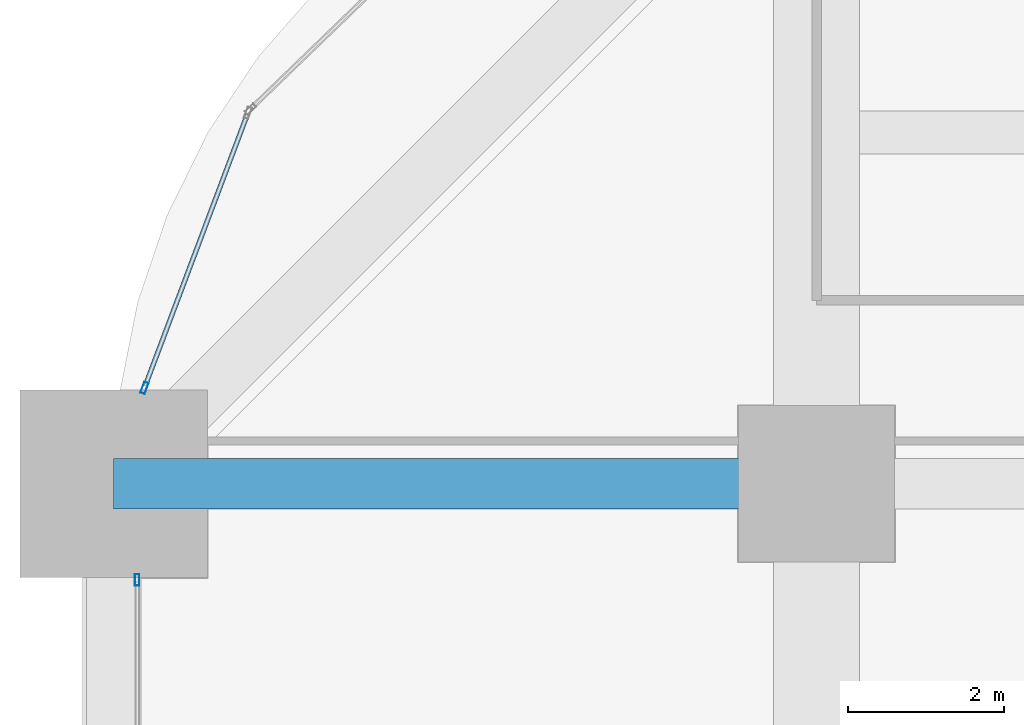
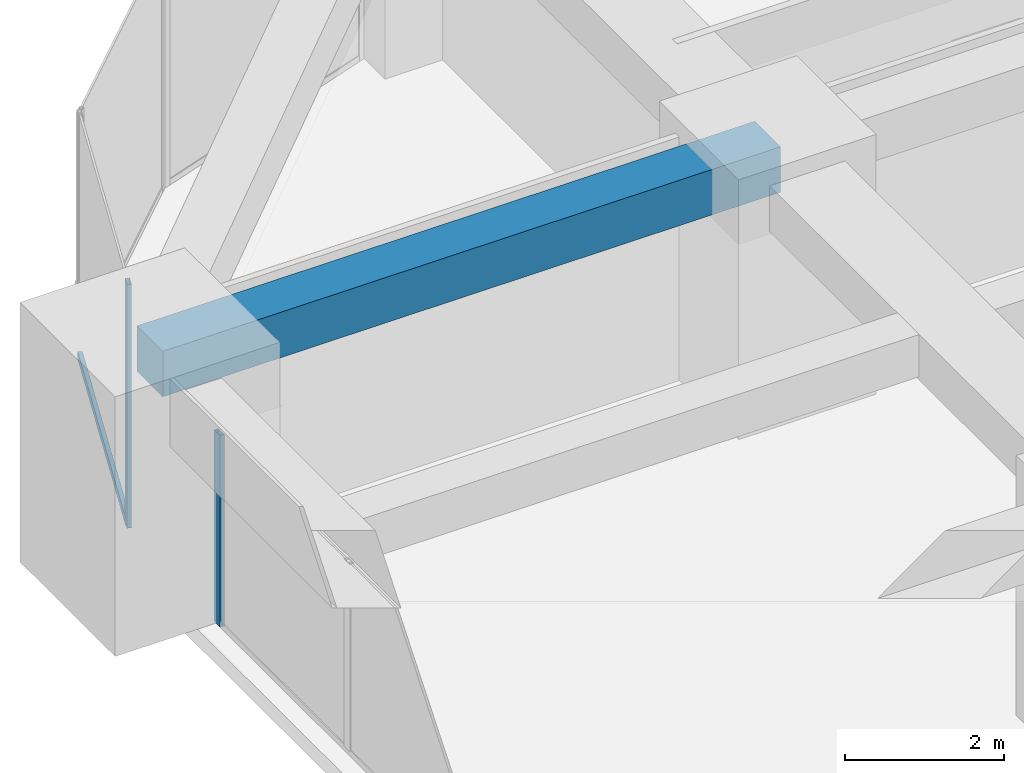
# One storey, part 24 of 41: 3 members, 1 beam, 2 elements without a shape of their own.
"""IFC4 building model written with IfcOpenShell, lengths in metres."""

from ifc_helpers import new_model, si_unit, direction, frame, origin, origin_2d, place, context, subcontext, project, spatial, rectangle, hollow_rectangle, extrude, material, material_profile, profile_set, type_object, element, aggregate, save


model = new_model("IFC4")

# Units and contexts
model_context = context("Model", 3, precision=1e-05, world=origin(), true_north=direction((0.0, 1.0)))
body_context = subcontext(model_context, "Body", "Model", "MODEL_VIEW")
ifc_project = project(units=[si_unit("LENGTHUNIT", "METRE"), si_unit("AREAUNIT", "SQUARE_METRE"), si_unit("VOLUMEUNIT", "CUBIC_METRE"), si_unit("PLANEANGLEUNIT", "RADIAN"), si_unit("MASSUNIT", "GRAM", prefix="KILO")], contexts=[model_context])

# Site, building, storey
site_placement = place(None, origin())
site = spatial("IfcSite", under=ifc_project, at=site_placement, CompositionType="ELEMENT")
building_placement = place(site_placement, origin())
building = spatial("IfcBuilding", under=site, at=building_placement, Name="Zorevar Civic Tower", CompositionType="ELEMENT")
storey_placement = place(building_placement, frame((0.0, 0.0, 97.0)))
storey = spatial("IfcBuildingStorey", under=building, at=storey_placement, Name="L23", CompositionType="ELEMENT", Elevation=97.0)

# Beam
ifc_material_1 = material(Name="Concrete C50/60", Category="concrete")
ifc_material_profile_1 = material_profile(ifc_material_1, rectangle(XDim=0.64990234375, YDim=0.699951171875, at=origin_2d()), Name="RC 650x700")
ifc_profile_set_1 = profile_set([ifc_material_profile_1], Name="Concrete C50/60")
beam_type = type_object("IfcBeamType", Name="Beam RC 650x700", PredefinedType="BEAM", material=ifc_profile_set_1)
beam_placement = place(storey_placement, frame((0.0, 36.0, 3.39990234375), z_axis=(1.0, 0.0, 0.0), x_axis=(0.0, 1.0, 0.0)))
element("IfcBeam", 1, at=beam_placement, inside=storey, type_object=beam_type, Name="Girder L24", PredefinedType="BEAM", context=body_context, shape_type="SweptSolid", body=[
    extrude(rectangle(XDim=0.64990234375, YDim=0.699951171875, at=origin_2d()), origin(), (0.0, 0.0, 1.0), 9.0),
])

# Curtain wall, member
ifc_material_2 = material(Name="Dark grey solar-control glass in black aluminium frame", Category="aluminium")
curtain_wall_type = type_object("IfcCurtainWallType", Name="Curtain wall CW3 mid zone", PredefinedType="NOTDEFINED", material=ifc_material_2)
curtain_wall_1_placement = place(storey_placement, origin())
curtain_wall_1 = element("IfcCurtainWall", 2, at=curtain_wall_1_placement, inside=storey, type_object=curtain_wall_type, Name="CW3 L23", PredefinedType="NOTDEFINED")
ifc_material_3 = material(Name="Aluminium, black anodised", Category="aluminium")
ifc_material_profile_2 = material_profile(ifc_material_3, hollow_rectangle(XDim=0.06005859375, YDim=0.14990234375, WallThickness=0.00390625, at=origin_2d()), Name="AL 150x60x4")
ifc_profile_set_2 = profile_set([ifc_material_profile_2], Name="Aluminium, black anodised")
member_type_1 = type_object("IfcMemberType", Name="CW3 mullion AL 150x60x4", PredefinedType="MULLION", material=ifc_profile_set_2)
member_1_placement = place(storey_placement, frame((0.300048828125, 34.77001953125, 0.0), z_axis=(0.0, 0.0, 1.0), x_axis=(-1.0, 0.0, 0.0)))
member_1 = element("IfcMember", 3, at=member_1_placement, type_object=member_type_1, Name="CW3 mullion 3", PredefinedType="MULLION", context=body_context, shape_type="SweptSolid", body=[
    extrude(hollow_rectangle(XDim=0.06005859375, YDim=0.14990234375, WallThickness=0.00390625, at=origin_2d()), origin(), (0.0, 0.0, 1.0), 2.949951171875),
])
aggregate(curtain_wall_1, [member_1])

# Curtain wall, members
curtain_wall_2_placement = place(storey_placement, origin())
curtain_wall_2 = element("IfcCurtainWall", 4, at=curtain_wall_2_placement, inside=storey, type_object=curtain_wall_type, Name="CW3 L23", PredefinedType="NOTDEFINED")
member_2_placement = place(storey_placement, frame((0.393798828125, 37.22802734375, 0.0), z_axis=(0.0, 0.0, 1.0), x_axis=(0.935950528564, -0.352131520999, 0.0)))
member_2 = element("IfcMember", 5, at=member_2_placement, type_object=member_type_1, Name="CW3 mullion 2", PredefinedType="MULLION", context=body_context, shape_type="SweptSolid", body=[
    extrude(hollow_rectangle(XDim=0.06005859375, YDim=0.14990234375, WallThickness=0.00390625, at=origin_2d()), origin(), (0.0, 0.0, 1.0), 3.75),
])
ifc_material_4 = material(Name="Aluminium, black anodised", Category="aluminium")
ifc_material_profile_3 = material_profile(ifc_material_4, hollow_rectangle(XDim=0.06005859375, YDim=0.1201171875, WallThickness=0.0029296875, at=origin_2d()), Name="AL 120x60x3")
ifc_profile_set_3 = profile_set([ifc_material_profile_3], Name="Aluminium, black anodised")
member_type_2 = type_object("IfcMemberType", Name="CW3 transom AL 120x60x3", PredefinedType="USERDEFINED", material=ifc_profile_set_3)
member_3_placement = place(storey_placement, frame((1.7080078125, 40.72119140625, 0.030029296875), z_axis=(-0.352142207579, -0.935946507895, 0.0), x_axis=(0.935946507895, -0.352142207579, 0.0)))
member_3 = element("IfcMember", 6, at=member_3_placement, type_object=member_type_2, Name="CW3 sill transom", ObjectType="TRANSOM", PredefinedType="USERDEFINED", context=body_context, shape_type="SweptSolid", body=[
    extrude(hollow_rectangle(XDim=0.06005859375, YDim=0.1201171875, WallThickness=0.0029296875, at=origin_2d()), origin(), (0.0, 0.0, 1.0), 3.7021484375),
])
aggregate(curtain_wall_2, [member_2, member_3])

save(model, "model.ifc")
